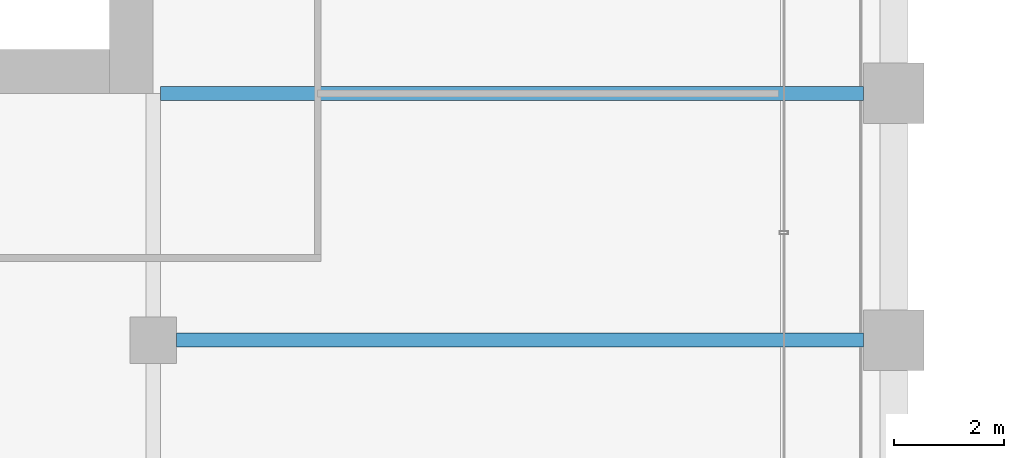
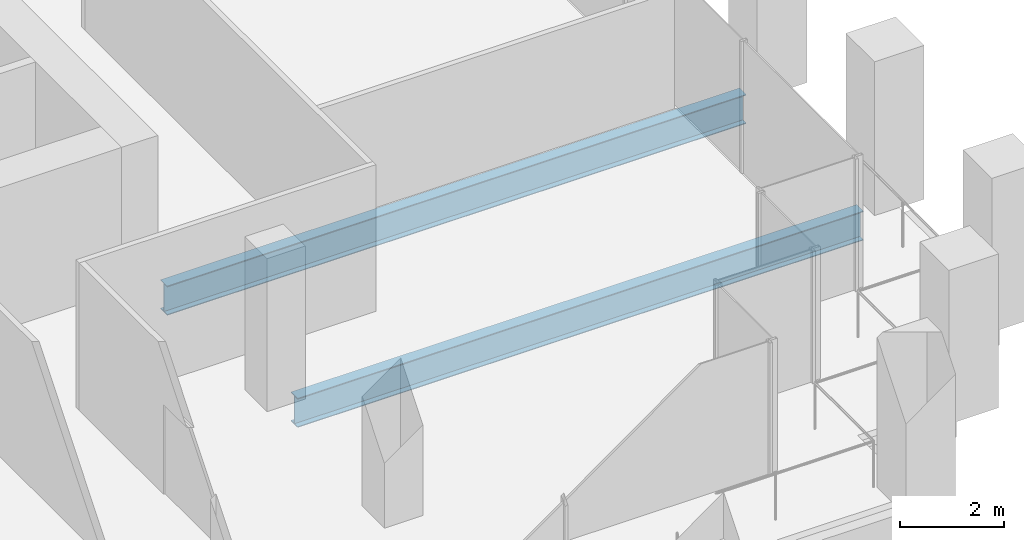
# One storey, part 17 of 54: 2 beams.
"""IFC4 building model written with IfcOpenShell, lengths in metres."""

from ifc_helpers import new_model, si_unit, direction, frame, origin, origin_2d, place, context, subcontext, project, spatial, i_section, extrude, material, material_profile, profile_set, type_object, element, save


model = new_model("IFC4")

# Units and contexts
model_context = context("Model", 3, precision=1e-05, world=origin(), true_north=direction((0.0, 1.0)))
body_context = subcontext(model_context, "Body", "Model", "MODEL_VIEW")
ifc_project = project(units=[si_unit("LENGTHUNIT", "METRE"), si_unit("AREAUNIT", "SQUARE_METRE"), si_unit("VOLUMEUNIT", "CUBIC_METRE"), si_unit("PLANEANGLEUNIT", "RADIAN"), si_unit("MASSUNIT", "GRAM", prefix="KILO")], contexts=[model_context])

# Site, building, storey
site_placement = place(None, origin())
site = spatial("IfcSite", under=ifc_project, at=site_placement, CompositionType="ELEMENT")
building_placement = place(site_placement, origin())
building = spatial("IfcBuilding", under=site, at=building_placement, Name="Altepetl Exchange Towers", CompositionType="ELEMENT")
storey_placement = place(building_placement, frame((0.0, 0.0, 65.39990234375)))
storey = spatial("IfcBuildingStorey", under=building, at=storey_placement, Name="L15", CompositionType="ELEMENT", Elevation=65.39990234375)

# Beams
ifc_material = material(Name="Steel S355", Category="steel")
ifc_material_profile = material_profile(ifc_material, i_section(OverallWidth=0.25390625, OverallDepth=0.68408203125, WebThickness=0.012451171875, FlangeThickness=0.018798828125, at=origin_2d()), Name="W27X94")
ifc_profile_set = profile_set([ifc_material_profile], Name="Steel S355")
beam_type = type_object("IfcBeamType", Name="Floor beam W27X94", PredefinedType="BEAM", material=ifc_profile_set)
beam_1_placement = place(storey_placement, frame((58.925048828125, 36.0, -0.491943359375), z_axis=(1.0, 0.0, 0.0), x_axis=(0.0, 1.0, 0.0)))
element("IfcBeam", 1, at=beam_1_placement, inside=storey, type_object=beam_type, Name="bm:A:L15:007", PredefinedType="BEAM", context=body_context, shape_type="SweptSolid", body=[
    extrude(i_section(OverallWidth=0.25390625, OverallDepth=0.68408203125, WebThickness=0.012451171875, FlangeThickness=0.018798828125, at=origin_2d()), origin(), (0.0, 0.0, 1.0), 12.52490234375),
])
beam_2_placement = place(storey_placement, frame((58.634033203125, 40.5, -0.491943359375), z_axis=(1.0, 0.0, 0.0), x_axis=(0.0, 1.0, 0.0)))
element("IfcBeam", 2, at=beam_2_placement, inside=storey, type_object=beam_type, Name="bm:A:L15:008", PredefinedType="BEAM", context=body_context, shape_type="SweptSolid", body=[
    extrude(i_section(OverallWidth=0.25390625, OverallDepth=0.68408203125, WebThickness=0.012451171875, FlangeThickness=0.018798828125, at=origin_2d()), origin(), (0.0, 0.0, 1.0), 12.81591796875),
])

save(model, "model.ifc")
